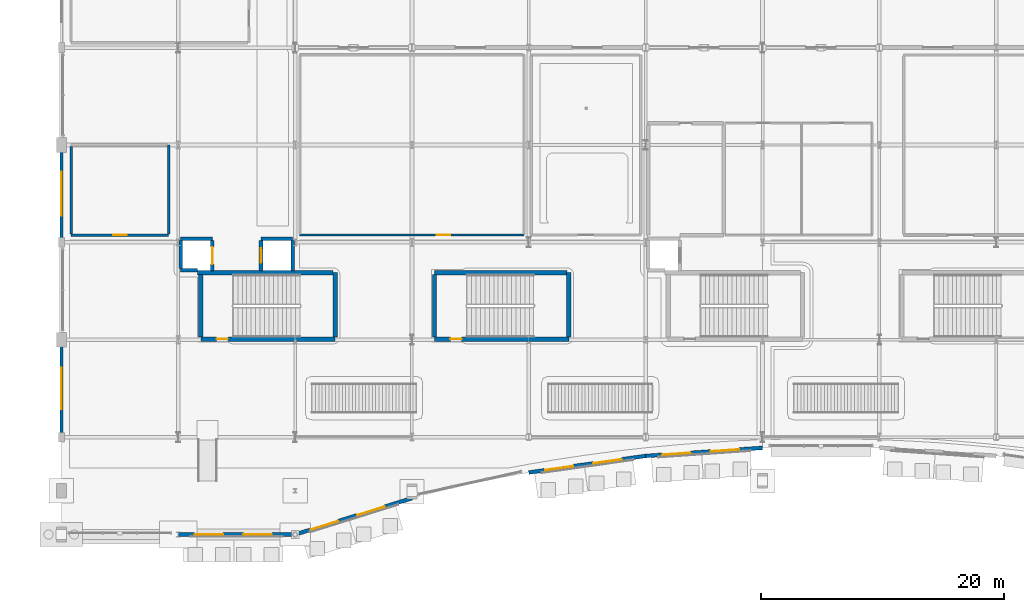
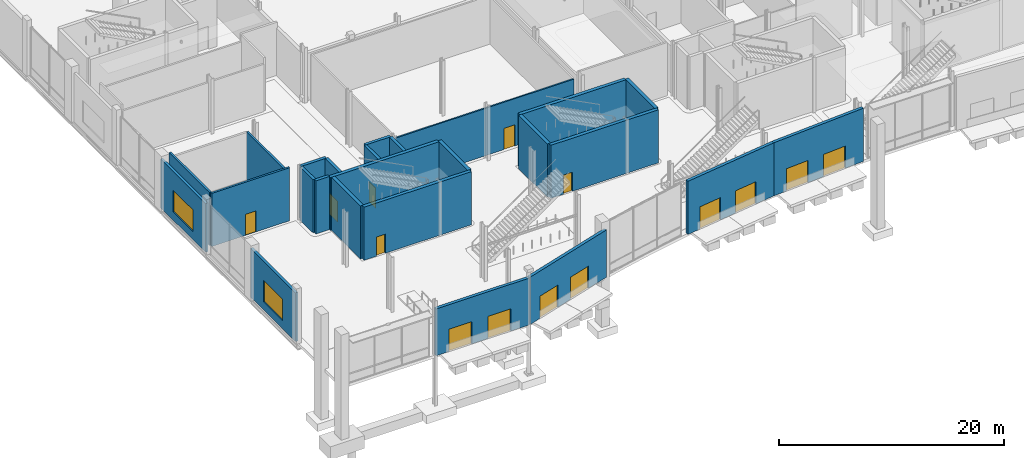
# One storey, part 72 of 124: 25 walls, 14 doors, 2 windows, 16 openings.
"""IFC4 building model written with IfcOpenShell, lengths in metres."""

from ifc_helpers import new_model, si_unit, direction, frame, frame_2d, origin, place, context, subcontext, project, spatial, rectangle, extrude, material, layer, layer_set, type_object, element, fill, save


model = new_model("IFC4")

# Units and contexts
model_context = context("Model", 3, precision=1e-05, world=origin(), true_north=direction((0.0, 1.0)))
body_context = subcontext(model_context, "Body", "Model", "MODEL_VIEW")
ifc_project = project(units=[si_unit("LENGTHUNIT", "METRE"), si_unit("AREAUNIT", "SQUARE_METRE"), si_unit("VOLUMEUNIT", "CUBIC_METRE"), si_unit("PLANEANGLEUNIT", "RADIAN"), si_unit("MASSUNIT", "GRAM", prefix="KILO")], contexts=[model_context])

# Site, building, storey
site_placement = place(None, origin())
site = spatial("IfcSite", under=ifc_project, at=site_placement, CompositionType="ELEMENT")
building_placement = place(site_placement, origin())
building = spatial("IfcBuilding", under=site, at=building_placement, Name="Danafjord Basin Convention Centre", CompositionType="ELEMENT")
storey_placement = place(building_placement, origin())
storey = spatial("IfcBuildingStorey", under=building, at=storey_placement, Name="L00", CompositionType="ELEMENT", Elevation=0.0)

# Walls
ifc_material_1 = material(Name="Concrete C40/50", Category="concrete")
ifc_layer_1 = layer(ifc_material_1, 0.300048828125)
ifc_layer_set_1 = layer_set([ifc_layer_1], Name="Concrete C40/50")
wall_type_1 = type_object("IfcWallType", Name="WALL-CW-CORE300", PredefinedType="SHEAR", material=ifc_layer_set_1)
wall_1_placement = place(storey_placement, frame((12.39990234375, 24.300048828125, 0.0), z_axis=(0.0, 0.0, 1.0), x_axis=(-1.0, 0.0, 0.0)))
element("IfcWall", 1, at=wall_1_placement, inside=storey, type_object=wall_type_1, Name="Lift LF-FF01 shaft shear wall", PredefinedType="SHEAR", context=body_context, shape_type="SweptSolid", body=[
    extrude(rectangle(XDim=2.599853515625, YDim=0.300048828125, at=frame_2d((1.2998046875, 0.0))), origin(), (0.0, 0.0, 1.0), 5.77001953125),
])
wall_2_placement = place(storey_placement, frame((9.800048828125, 21.699951171875, 0.0), z_axis=(0.0, 0.0, 1.0), x_axis=(1.0, 0.0, 0.0)))
element("IfcWall", 2, at=wall_2_placement, inside=storey, type_object=wall_type_1, Name="Lift LF-FF01 shaft shear wall", PredefinedType="SHEAR", context=body_context, shape_type="SweptSolid", body=[
    extrude(rectangle(XDim=1.39990234375, YDim=0.300048828125, at=frame_2d((0.699951171875, 0.0))), origin(), (0.0, 0.0, 1.0), 5.77001953125),
])

# Wall, opening, door
wall_3_placement = place(storey_placement, frame((12.39990234375, 21.6650390625, 0.0), z_axis=(0.0, 0.0, 1.0), x_axis=(0.0, 1.0, 0.0)))
wall_3 = element("IfcWall", 3, at=wall_3_placement, inside=storey, type_object=wall_type_1, Name="Lift LF-FF01 shaft shear wall", PredefinedType="SHEAR", context=body_context, shape_type="SweptSolid", body=[
    extrude(rectangle(XDim=2.5, YDim=0.300048828125, at=frame_2d((1.25, 0.0))), origin(), (0.0, 0.0, 1.0), 5.77001953125),
])
opening_1_placement = place(wall_3_placement, frame((0.550048828125, 0.0, 0.0)))
opening_1 = element("IfcOpeningElement", 4, at=opening_1_placement, cuts=wall_3, Name="Opening LD-F01", PredefinedType="OPENING", context=body_context, shape_type="SweptSolid", body=[
    extrude(rectangle(XDim=1.39990234375, YDim=2.260009765625, at=frame_2d((0.699951171875, 1.1298828125))), frame((0.0, 0.159912109375, 0.0), z_axis=(0.0, -1.0, 0.0), x_axis=(1.0, 0.0, 0.0)), (0.0, 0.0, 1.0), 0.320068359375),
])
ifc_material_2 = material(Name="Brushed stainless steel and acoustic laminated glass", Category="steel")
door_type_1 = type_object("IfcDoorType", Name="DOOR-LD-F01", OperationType="DOUBLE_DOOR_SLIDING", PredefinedType="DOOR", material=ifc_material_2)
door_1_placement = place(opening_1_placement, origin())
door_1 = element("IfcDoor", 5, at=door_1_placement, inside=storey, type_object=door_type_1, Name="Lift LF-FF01 L00 Landing Door", OperationType="DOUBLE_DOOR_SLIDING", OverallHeight=2.260009765625, OverallWidth=1.39990234375, PredefinedType="DOOR", context=body_context, shape_type="SweptSolid", body=[
    extrude(rectangle(XDim=1.39990234375, YDim=2.260009765625, at=frame_2d((0.699951171875, 1.1298828125))), frame((0.0, 0.02490234375, 0.0), z_axis=(0.0, -1.0, 0.0), x_axis=(1.0, 0.0, 0.0)), (0.0, 0.0, 1.0), 0.050048828125),
])
fill(opening_1, door_1)

# Walls
wall_4_placement = place(storey_placement, frame((9.800048828125, 24.1650390625, 0.0), z_axis=(0.0, 0.0, 1.0), x_axis=(0.0, -1.0, 0.0)))
element("IfcWall", 6, at=wall_4_placement, inside=storey, type_object=wall_type_1, Name="Lift LF-FF01 shaft shear wall", PredefinedType="SHEAR", context=body_context, shape_type="SweptSolid", body=[
    extrude(rectangle(XDim=2.330078125, YDim=0.300048828125, at=frame_2d((1.1650390625, 0.0))), origin(), (0.0, 0.0, 1.0), 5.77001953125),
])
wall_5_placement = place(storey_placement, frame((19.0, 24.300048828125, 0.0), z_axis=(0.0, 0.0, 1.0), x_axis=(-1.0, 0.0, 0.0)))
element("IfcWall", 7, at=wall_5_placement, inside=storey, type_object=wall_type_1, Name="Lift LF-P01 shaft shear wall", PredefinedType="SHEAR", context=body_context, shape_type="SweptSolid", body=[
    extrude(rectangle(XDim=2.60009765625, YDim=0.300048828125, at=frame_2d((1.300048828125, 0.0))), origin(), (0.0, 0.0, 1.0), 5.77001953125),
])
wall_6_placement = place(storey_placement, frame((19.0, 21.6650390625, 0.0), z_axis=(0.0, 0.0, 1.0), x_axis=(0.0, 1.0, 0.0)))
element("IfcWall", 8, at=wall_6_placement, inside=storey, type_object=wall_type_1, Name="Lift LF-P01 shaft shear wall", PredefinedType="SHEAR", context=body_context, shape_type="SweptSolid", body=[
    extrude(rectangle(XDim=2.5, YDim=0.300048828125, at=frame_2d((1.25, 0.0))), origin(), (0.0, 0.0, 1.0), 5.77001953125),
])

# Wall, opening, door
wall_7_placement = place(storey_placement, frame((16.39990234375, 24.1650390625, 0.0), z_axis=(0.0, 0.0, 1.0), x_axis=(0.0, -1.0, 0.0)))
wall_7 = element("IfcWall", 9, at=wall_7_placement, inside=storey, type_object=wall_type_1, Name="Lift LF-P01 shaft shear wall", PredefinedType="SHEAR", context=body_context, shape_type="SweptSolid", body=[
    extrude(rectangle(XDim=2.5, YDim=0.300048828125, at=frame_2d((1.25, 0.0))), origin(), (0.0, 0.0, 1.0), 5.77001953125),
])
opening_2_placement = place(wall_7_placement, frame((0.64990234375, 0.0, 0.0)))
opening_2 = element("IfcOpeningElement", 10, at=opening_2_placement, cuts=wall_7, Name="Opening LD-P01", PredefinedType="OPENING", context=body_context, shape_type="SweptSolid", body=[
    extrude(rectangle(XDim=1.199951171875, YDim=2.199951171875, at=frame_2d((0.60009765625, 1.10009765625))), frame((0.0, 0.159912109375, 0.0), z_axis=(0.0, -1.0, 0.0), x_axis=(1.0, 0.0, 0.0)), (0.0, 0.0, 1.0), 0.320068359375),
])
door_type_2 = type_object("IfcDoorType", Name="DOOR-LD-P01", OperationType="DOUBLE_DOOR_SLIDING", PredefinedType="DOOR", material=ifc_material_2)
door_2_placement = place(opening_2_placement, origin())
door_2 = element("IfcDoor", 11, at=door_2_placement, inside=storey, type_object=door_type_2, Name="Lift LF-P01 L00 Landing Door", OperationType="DOUBLE_DOOR_SLIDING", OverallHeight=2.199951171875, OverallWidth=1.199951171875, PredefinedType="DOOR", context=body_context, shape_type="SweptSolid", body=[
    extrude(rectangle(XDim=1.199951171875, YDim=2.199951171875, at=frame_2d((0.60009765625, 1.10009765625))), frame((0.0, 0.02490234375, 0.0), z_axis=(0.0, -1.0, 0.0), x_axis=(1.0, 0.0, 0.0)), (0.0, 0.0, 1.0), 0.050048828125),
])
fill(opening_2, door_2)

ifc_material_3 = material(Name="Concrete C45/55", Category="concrete")
ifc_layer_2 = layer(ifc_material_3, 0.35009765625)
ifc_layer_set_2 = layer_set([ifc_layer_2], Name="Concrete C45/55")
wall_type_2 = type_object("IfcWallType", Name="WALL-CW-CORE350", PredefinedType="SHEAR", material=ifc_layer_set_2)
wall_8_placement = place(storey_placement, frame((22.489990234375, 16.050048828125, 0.0), z_axis=(0.0, 0.0, 1.0), x_axis=(-1.0, 0.0, 0.0)))
wall_8 = element("IfcWall", 12, at=wall_8_placement, inside=storey, type_object=wall_type_2, Name="West Harbour Core Stair 1 core shear wall (south)", PredefinedType="SHEAR", context=body_context, shape_type="SweptSolid", body=[
    extrude(rectangle(XDim=11.0400390625, YDim=0.35009765625, at=frame_2d((5.52001953125, 0.0))), origin(), (0.0, 0.0, 1.0), 5.77001953125),
])
opening_3_placement = place(wall_8_placement, frame((8.818115234375, 0.0, 0.0)))
opening_3 = element("IfcOpeningElement", 13, at=opening_3_placement, cuts=wall_8, Name="Opening FD-S01", PredefinedType="OPENING", context=body_context, shape_type="SweptSolid", body=[
    extrude(rectangle(XDim=0.909912109375, YDim=2.080078125, at=frame_2d((0.455078125, 1.0400390625))), frame((0.0, 0.18505859375, 0.0), z_axis=(0.0, -1.0, 0.0), x_axis=(1.0, 0.0, 0.0)), (0.0, 0.0, 1.0), 0.3701171875),
])
ifc_material_4 = material(Name="Powder-coated steel and Nordic oak", Category="steel")
door_type_3 = type_object("IfcDoorType", Name="DOOR-FD-S01", OperationType="NOTDEFINED", PredefinedType="DOOR", material=ifc_material_4)
door_3_placement = place(opening_3_placement, origin())
door_3 = element("IfcDoor", 14, at=door_3_placement, inside=storey, type_object=door_type_3, Name="West Harbour Core Stair 1 L00 Fire Exit Door", OperationType="SINGLE_SWING_RIGHT", OverallHeight=2.080078125, OverallWidth=0.909912109375, PredefinedType="DOOR", context=body_context, shape_type="SweptSolid", body=[
    extrude(rectangle(XDim=0.909912109375, YDim=2.080078125, at=frame_2d((0.455078125, 1.0400390625))), frame((0.0, 0.02490234375, 0.0), z_axis=(0.0, -1.0, 0.0), x_axis=(1.0, 0.0, 0.0)), (0.0, 0.0, 1.0), 0.050048828125),
])
fill(opening_3, door_3)

# Walls
wall_9_placement = place(storey_placement, frame((22.489990234375, 21.510009765625, 0.0), z_axis=(0.0, 0.0, 1.0), x_axis=(0.0, -1.0, 0.0)))
element("IfcWall", 15, at=wall_9_placement, inside=storey, type_object=wall_type_2, Name="West Harbour Core Stair 1 core shear wall (east)", PredefinedType="SHEAR", context=body_context, shape_type="SweptSolid", body=[
    extrude(rectangle(XDim=5.300048828125, YDim=0.35009765625, at=frame_2d((2.64990234375, 0.0))), origin(), (0.0, 0.0, 1.0), 5.77001953125),
])
wall_10_placement = place(storey_placement, frame((11.179931640625, 21.510009765625, 0.0), z_axis=(0.0, 0.0, 1.0), x_axis=(1.0, 0.0, 0.0)))
element("IfcWall", 16, at=wall_10_placement, inside=storey, type_object=wall_type_2, Name="West Harbour Core Stair 1 core shear wall (north)", PredefinedType="SHEAR", context=body_context, shape_type="SweptSolid", body=[
    extrude(rectangle(XDim=11.150146484375, YDim=0.35009765625, at=frame_2d((5.5751953125, 0.0))), origin(), (0.0, 0.0, 1.0), 5.77001953125),
])
wall_11_placement = place(storey_placement, frame((11.449951171875, 16.2099609375, 0.0), z_axis=(0.0, 0.0, 1.0), x_axis=(0.0, 1.0, 0.0)))
element("IfcWall", 17, at=wall_11_placement, inside=storey, type_object=wall_type_2, Name="West Harbour Core Stair 1 core shear wall (west)", PredefinedType="SHEAR", context=body_context, shape_type="SweptSolid", body=[
    extrude(rectangle(XDim=5.14013671875, YDim=0.35009765625, at=frame_2d((2.570068359375, 0.0))), origin(), (0.0, 0.0, 1.0), 5.77001953125),
])

# Wall, opening, door
wall_12_placement = place(storey_placement, frame((41.68994140625, 16.050048828125, 0.0), z_axis=(0.0, 0.0, 1.0), x_axis=(-1.0, 0.0, 0.0)))
wall_12 = element("IfcWall", 18, at=wall_12_placement, inside=storey, type_object=wall_type_2, Name="West Harbour Escape Stair 2 core shear wall (south)", PredefinedType="SHEAR", context=body_context, shape_type="SweptSolid", body=[
    extrude(rectangle(XDim=11.0400390625, YDim=0.35009765625, at=frame_2d((5.52001953125, 0.0))), origin(), (0.0, 0.0, 1.0), 5.77001953125),
])
opening_4_placement = place(wall_12_placement, frame((8.818115234375, 0.0, 0.0)))
opening_4 = element("IfcOpeningElement", 19, at=opening_4_placement, cuts=wall_12, Name="Opening FD-S01", PredefinedType="OPENING", context=body_context, shape_type="SweptSolid", body=[
    extrude(rectangle(XDim=0.909912109375, YDim=2.080078125, at=frame_2d((0.455078125, 1.0400390625))), frame((0.0, 0.18505859375, 0.0), z_axis=(0.0, -1.0, 0.0), x_axis=(1.0, 0.0, 0.0)), (0.0, 0.0, 1.0), 0.3701171875),
])
door_4_placement = place(opening_4_placement, origin())
door_4 = element("IfcDoor", 20, at=door_4_placement, inside=storey, type_object=door_type_3, Name="West Harbour Escape Stair 2 L00 Fire Exit Door", OperationType="SINGLE_SWING_LEFT", OverallHeight=2.080078125, OverallWidth=0.909912109375, PredefinedType="DOOR", context=body_context, shape_type="SweptSolid", body=[
    extrude(rectangle(XDim=0.909912109375, YDim=2.080078125, at=frame_2d((0.455078125, 1.0400390625))), frame((0.0, 0.02490234375, 0.0), z_axis=(0.0, -1.0, 0.0), x_axis=(1.0, 0.0, 0.0)), (0.0, 0.0, 1.0), 0.050048828125),
])
fill(opening_4, door_4)

# Walls
wall_13_placement = place(storey_placement, frame((41.68994140625, 21.510009765625, 0.0), z_axis=(0.0, 0.0, 1.0), x_axis=(0.0, -1.0, 0.0)))
element("IfcWall", 21, at=wall_13_placement, inside=storey, type_object=wall_type_2, Name="West Harbour Escape Stair 2 core shear wall (east)", PredefinedType="SHEAR", context=body_context, shape_type="SweptSolid", body=[
    extrude(rectangle(XDim=5.300048828125, YDim=0.35009765625, at=frame_2d((2.64990234375, 0.0))), origin(), (0.0, 0.0, 1.0), 5.77001953125),
])
wall_14_placement = place(storey_placement, frame((30.64990234375, 21.510009765625, 0.0), z_axis=(0.0, 0.0, 1.0), x_axis=(1.0, 0.0, 0.0)))
element("IfcWall", 22, at=wall_14_placement, inside=storey, type_object=wall_type_2, Name="West Harbour Escape Stair 2 core shear wall (north)", PredefinedType="SHEAR", context=body_context, shape_type="SweptSolid", body=[
    extrude(rectangle(XDim=10.880126953125, YDim=0.35009765625, at=frame_2d((5.43994140625, 0.0))), origin(), (0.0, 0.0, 1.0), 5.77001953125),
])
wall_15_placement = place(storey_placement, frame((30.64990234375, 16.2099609375, 0.0), z_axis=(0.0, 0.0, 1.0), x_axis=(0.0, 1.0, 0.0)))
element("IfcWall", 23, at=wall_15_placement, inside=storey, type_object=wall_type_2, Name="West Harbour Escape Stair 2 core shear wall (west)", PredefinedType="SHEAR", context=body_context, shape_type="SweptSolid", body=[
    extrude(rectangle(XDim=5.14013671875, YDim=0.35009765625, at=frame_2d((2.570068359375, 0.0))), origin(), (0.0, 0.0, 1.0), 5.77001953125),
])

# Wall, openings, doors
ifc_material_5 = material(Name="Precast concrete C40/50", Category="concrete")
ifc_layer_3 = layer(ifc_material_5, 0.31005859375)
ifc_layer_set_3 = layer_set([ifc_layer_3], Name="Precast concrete C40/50")
wall_type_3 = type_object("IfcWallType", Name="WALL-EW-PC300", PredefinedType="SOLIDWALL", material=ifc_layer_set_3)
wall_16_placement = place(storey_placement, frame((9.60009765625, 0.0, 0.0), z_axis=(0.0, 0.0, 1.0), x_axis=(1.0, 0.0, 0.0)))
wall_16 = element("IfcWall", 24, at=wall_16_placement, inside=storey, type_object=wall_type_3, Name="L00 harbourfront precast facade bay 2", PredefinedType="SOLIDWALL", context=body_context, shape_type="SweptSolid", body=[
    extrude(rectangle(XDim=9.599853515625, YDim=0.31005859375, at=frame_2d((4.7998046875, 0.0))), origin(), (0.0, 0.0, 1.0), 5.090087890625),
])
opening_5_placement = place(wall_16_placement, frame((1.35009765625, 0.0, 0.0)))
opening_5 = element("IfcOpeningElement", 25, at=opening_5_placement, cuts=wall_16, Name="Opening ED-01", PredefinedType="OPENING", context=body_context, shape_type="SweptSolid", body=[
    extrude(rectangle(XDim=2.340087890625, YDim=2.419921875, at=frame_2d((1.169921875, 1.2099609375))), frame((0.0, 0.1650390625, 0.0), z_axis=(0.0, -1.0, 0.0), x_axis=(1.0, 0.0, 0.0)), (0.0, 0.0, 1.0), 0.330078125),
])
opening_6_placement = place(wall_16_placement, frame((5.35009765625, 0.0, 0.0)))
opening_6 = element("IfcOpeningElement", 26, at=opening_6_placement, cuts=wall_16, Name="Opening ED-01", PredefinedType="OPENING", context=body_context, shape_type="SweptSolid", body=[
    extrude(rectangle(XDim=2.340087890625, YDim=2.419921875, at=frame_2d((1.169921875, 1.2099609375))), frame((0.0, 0.1650390625, 0.0), z_axis=(0.0, -1.0, 0.0), x_axis=(1.0, 0.0, 0.0)), (0.0, 0.0, 1.0), 0.330078125),
])
ifc_material_6 = material(Name="Thermally broken anodised aluminium and steel", Category="steel")
door_type_4 = type_object("IfcDoorType", Name="DOOR-ED-01", OperationType="DOUBLE_DOOR_SINGLE_SWING", PredefinedType="DOOR", material=ifc_material_6)
door_5_placement = place(opening_5_placement, origin())
door_5 = element("IfcDoor", 27, at=door_5_placement, inside=storey, type_object=door_type_4, Name="Harbourfront Registration Entrance Door", OperationType="DOUBLE_DOOR_SINGLE_SWING", OverallHeight=2.419921875, OverallWidth=2.340087890625, PredefinedType="DOOR", context=body_context, shape_type="SweptSolid", body=[
    extrude(rectangle(XDim=2.340087890625, YDim=2.419921875, at=frame_2d((1.169921875, 1.2099609375))), frame((0.0, 0.02490234375, 0.0), z_axis=(0.0, -1.0, 0.0), x_axis=(1.0, 0.0, 0.0)), (0.0, 0.0, 1.0), 0.050048828125),
])
fill(opening_5, door_5)
door_6_placement = place(opening_6_placement, origin())
door_6 = element("IfcDoor", 28, at=door_6_placement, inside=storey, type_object=door_type_4, Name="Harbourfront Registration Entrance Door", OperationType="DOUBLE_DOOR_SINGLE_SWING", OverallHeight=2.419921875, OverallWidth=2.340087890625, PredefinedType="DOOR", context=body_context, shape_type="SweptSolid", body=[
    extrude(rectangle(XDim=2.340087890625, YDim=2.419921875, at=frame_2d((1.169921875, 1.2099609375))), frame((0.0, 0.02490234375, 0.0), z_axis=(0.0, -1.0, 0.0), x_axis=(1.0, 0.0, 0.0)), (0.0, 0.0, 1.0), 0.050048828125),
])
fill(opening_6, door_6)

wall_17_placement = place(storey_placement, frame((19.199951171875, 0.0, 0.0), z_axis=(0.0, 0.0, 1.0), x_axis=(0.955046116742, 0.296457273306, 0.0)))
wall_17 = element("IfcWall", 29, at=wall_17_placement, inside=storey, type_object=wall_type_3, Name="L00 harbourfront precast facade bay 3", PredefinedType="SOLIDWALL", context=body_context, shape_type="SweptSolid", body=[
    extrude(rectangle(XDim=10.052001953125, YDim=0.31005859375, at=frame_2d((5.02587890625, 0.0))), origin(), (0.0, 0.0, 1.0), 5.139892578125),
])
opening_7_placement = place(wall_17_placement, frame((1.35009765625, 0.0, 0.0)))
opening_7 = element("IfcOpeningElement", 30, at=opening_7_placement, cuts=wall_17, Name="Opening ED-01", PredefinedType="OPENING", context=body_context, shape_type="SweptSolid", body=[
    extrude(rectangle(XDim=2.340087890625, YDim=2.419921875, at=frame_2d((1.169921875, 1.2099609375))), frame((0.0, 0.1650390625, 0.0), z_axis=(0.0, -1.0, 0.0), x_axis=(1.0, 0.0, 0.0)), (0.0, 0.0, 1.0), 0.330078125),
])
opening_8_placement = place(wall_17_placement, frame((5.35009765625, 0.0, 0.0)))
opening_8 = element("IfcOpeningElement", 31, at=opening_8_placement, cuts=wall_17, Name="Opening ED-01", PredefinedType="OPENING", context=body_context, shape_type="SweptSolid", body=[
    extrude(rectangle(XDim=2.340087890625, YDim=2.419921875, at=frame_2d((1.169921875, 1.2099609375))), frame((0.0, 0.1650390625, 0.0), z_axis=(0.0, -1.0, 0.0), x_axis=(1.0, 0.0, 0.0)), (0.0, 0.0, 1.0), 0.330078125),
])
door_7_placement = place(opening_7_placement, origin())
door_7 = element("IfcDoor", 32, at=door_7_placement, inside=storey, type_object=door_type_4, Name="Harbourfront Registration Entrance Door", OperationType="DOUBLE_DOOR_SINGLE_SWING", OverallHeight=2.419921875, OverallWidth=2.340087890625, PredefinedType="DOOR", context=body_context, shape_type="SweptSolid", body=[
    extrude(rectangle(XDim=2.340087890625, YDim=2.419921875, at=frame_2d((1.169921875, 1.2099609375))), frame((0.0, 0.02490234375, 0.0), z_axis=(0.0, -1.0, 0.0), x_axis=(1.0, 0.0, 0.0)), (0.0, 0.0, 1.0), 0.050048828125),
])
fill(opening_7, door_7)
door_8_placement = place(opening_8_placement, origin())
door_8 = element("IfcDoor", 33, at=door_8_placement, inside=storey, type_object=door_type_4, Name="Harbourfront Registration Entrance Door", OperationType="DOUBLE_DOOR_SINGLE_SWING", OverallHeight=2.419921875, OverallWidth=2.340087890625, PredefinedType="DOOR", context=body_context, shape_type="SweptSolid", body=[
    extrude(rectangle(XDim=2.340087890625, YDim=2.419921875, at=frame_2d((1.169921875, 1.2099609375))), frame((0.0, 0.02490234375, 0.0), z_axis=(0.0, -1.0, 0.0), x_axis=(1.0, 0.0, 0.0)), (0.0, 0.0, 1.0), 0.050048828125),
])
fill(opening_8, door_8)

wall_18_placement = place(storey_placement, frame((38.39990234375, 5.093017578125, 0.0), z_axis=(0.0, 0.0, 1.0), x_axis=(0.990129976579, 0.140152165445, 0.0)))
wall_18 = element("IfcWall", 34, at=wall_18_placement, inside=storey, type_object=wall_type_3, Name="L00 harbourfront precast facade bay 5", PredefinedType="SOLIDWALL", context=body_context, shape_type="SweptSolid", body=[
    extrude(rectangle(XDim=9.69580078125, YDim=0.31005859375, at=frame_2d((4.847900390625, 0.0))), origin(), (0.0, 0.0, 1.0), 5.77001953125),
])
opening_9_placement = place(wall_18_placement, frame((1.35009765625, 0.0, 0.0)))
opening_9 = element("IfcOpeningElement", 35, at=opening_9_placement, cuts=wall_18, Name="Opening ED-01", PredefinedType="OPENING", context=body_context, shape_type="SweptSolid", body=[
    extrude(rectangle(XDim=2.340087890625, YDim=2.419921875, at=frame_2d((1.169921875, 1.2099609375))), frame((0.0, 0.1650390625, 0.0), z_axis=(0.0, -1.0, 0.0), x_axis=(1.0, 0.0, 0.0)), (0.0, 0.0, 1.0), 0.330078125),
])
opening_10_placement = place(wall_18_placement, frame((5.35009765625, 0.0, 0.0)))
opening_10 = element("IfcOpeningElement", 36, at=opening_10_placement, cuts=wall_18, Name="Opening ED-01", PredefinedType="OPENING", context=body_context, shape_type="SweptSolid", body=[
    extrude(rectangle(XDim=2.340087890625, YDim=2.419921875, at=frame_2d((1.169921875, 1.2099609375))), frame((0.0, 0.1650390625, 0.0), z_axis=(0.0, -1.0, 0.0), x_axis=(1.0, 0.0, 0.0)), (0.0, 0.0, 1.0), 0.330078125),
])
door_9_placement = place(opening_9_placement, origin())
door_9 = element("IfcDoor", 37, at=door_9_placement, inside=storey, type_object=door_type_4, Name="Harbourfront Registration Entrance Door", OperationType="DOUBLE_DOOR_SINGLE_SWING", OverallHeight=2.419921875, OverallWidth=2.340087890625, PredefinedType="DOOR", context=body_context, shape_type="SweptSolid", body=[
    extrude(rectangle(XDim=2.340087890625, YDim=2.419921875, at=frame_2d((1.169921875, 1.2099609375))), frame((0.0, 0.02490234375, 0.0), z_axis=(0.0, -1.0, 0.0), x_axis=(1.0, 0.0, 0.0)), (0.0, 0.0, 1.0), 0.050048828125),
])
fill(opening_9, door_9)
door_10_placement = place(opening_10_placement, origin())
door_10 = element("IfcDoor", 38, at=door_10_placement, inside=storey, type_object=door_type_4, Name="Harbourfront Registration Entrance Door", OperationType="DOUBLE_DOOR_SINGLE_SWING", OverallHeight=2.419921875, OverallWidth=2.340087890625, PredefinedType="DOOR", context=body_context, shape_type="SweptSolid", body=[
    extrude(rectangle(XDim=2.340087890625, YDim=2.419921875, at=frame_2d((1.169921875, 1.2099609375))), frame((0.0, 0.02490234375, 0.0), z_axis=(0.0, -1.0, 0.0), x_axis=(1.0, 0.0, 0.0)), (0.0, 0.0, 1.0), 0.050048828125),
])
fill(opening_10, door_10)

wall_19_placement = place(storey_placement, frame((48.0, 6.451904296875, 0.0), z_axis=(0.0, 0.0, 1.0), x_axis=(0.99760914447, 0.069108573052, 0.0)))
wall_19 = element("IfcWall", 39, at=wall_19_placement, inside=storey, type_object=wall_type_3, Name="L00 harbourfront precast facade bay 6", PredefinedType="SOLIDWALL", context=body_context, shape_type="SweptSolid", body=[
    extrude(rectangle(XDim=9.623046875, YDim=0.31005859375, at=frame_2d((4.8115234375, 0.0))), origin(), (0.0, 0.0, 1.0), 5.77001953125),
])
opening_11_placement = place(wall_19_placement, frame((1.35009765625, 0.0, 0.0)))
opening_11 = element("IfcOpeningElement", 40, at=opening_11_placement, cuts=wall_19, Name="Opening ED-01", PredefinedType="OPENING", context=body_context, shape_type="SweptSolid", body=[
    extrude(rectangle(XDim=2.340087890625, YDim=2.419921875, at=frame_2d((1.169921875, 1.2099609375))), frame((0.0, 0.1650390625, 0.0), z_axis=(0.0, -1.0, 0.0), x_axis=(1.0, 0.0, 0.0)), (0.0, 0.0, 1.0), 0.330078125),
])
opening_12_placement = place(wall_19_placement, frame((5.35009765625, 0.0, 0.0)))
opening_12 = element("IfcOpeningElement", 41, at=opening_12_placement, cuts=wall_19, Name="Opening ED-01", PredefinedType="OPENING", context=body_context, shape_type="SweptSolid", body=[
    extrude(rectangle(XDim=2.340087890625, YDim=2.419921875, at=frame_2d((1.169921875, 1.2099609375))), frame((0.0, 0.1650390625, 0.0), z_axis=(0.0, -1.0, 0.0), x_axis=(1.0, 0.0, 0.0)), (0.0, 0.0, 1.0), 0.330078125),
])
door_11_placement = place(opening_11_placement, origin())
door_11 = element("IfcDoor", 42, at=door_11_placement, inside=storey, type_object=door_type_4, Name="Harbourfront Registration Entrance Door", OperationType="DOUBLE_DOOR_SINGLE_SWING", OverallHeight=2.419921875, OverallWidth=2.340087890625, PredefinedType="DOOR", context=body_context, shape_type="SweptSolid", body=[
    extrude(rectangle(XDim=2.340087890625, YDim=2.419921875, at=frame_2d((1.169921875, 1.2099609375))), frame((0.0, 0.02490234375, 0.0), z_axis=(0.0, -1.0, 0.0), x_axis=(1.0, 0.0, 0.0)), (0.0, 0.0, 1.0), 0.050048828125),
])
fill(opening_11, door_11)
door_12_placement = place(opening_12_placement, origin())
door_12 = element("IfcDoor", 43, at=door_12_placement, inside=storey, type_object=door_type_4, Name="Harbourfront Registration Entrance Door", OperationType="DOUBLE_DOOR_SINGLE_SWING", OverallHeight=2.419921875, OverallWidth=2.340087890625, PredefinedType="DOOR", context=body_context, shape_type="SweptSolid", body=[
    extrude(rectangle(XDim=2.340087890625, YDim=2.419921875, at=frame_2d((1.169921875, 1.2099609375))), frame((0.0, 0.02490234375, 0.0), z_axis=(0.0, -1.0, 0.0), x_axis=(1.0, 0.0, 0.0)), (0.0, 0.0, 1.0), 0.050048828125),
])
fill(opening_12, door_12)

# Wall, opening, window
ifc_material_7 = material(Name="Concrete C35/45", Category="concrete")
ifc_layer_4 = layer(ifc_material_7, 0.260009765625)
ifc_layer_set_4 = layer_set([ifc_layer_4], Name="Concrete C35/45")
wall_type_4 = type_object("IfcWallType", Name="WALL-EW-STD260", PredefinedType="STANDARD", material=ifc_layer_set_4)
wall_20_placement = place(storey_placement, frame((0.0, 8.0, 0.0), z_axis=(0.0, 0.0, 1.0), x_axis=(0.0, 1.0, 0.0)))
wall_20 = element("IfcWall", 44, at=wall_20_placement, inside=storey, type_object=wall_type_4, Name="L00 W wing facade wall", PredefinedType="STANDARD", context=body_context, shape_type="SweptSolid", body=[
    extrude(rectangle(XDim=8.0, YDim=0.260009765625, at=frame_2d((4.0, 0.0))), origin(), (0.0, 0.0, 1.0), 5.2900390625),
])
opening_13_placement = place(wall_20_placement, frame((2.300048828125, 0.0, 0.89990234375)))
opening_13 = element("IfcOpeningElement", 45, at=opening_13_placement, cuts=wall_20, Name="Opening WN-12", PredefinedType="OPENING", context=body_context, shape_type="SweptSolid", body=[
    extrude(rectangle(XDim=3.39990234375, YDim=2.300048828125, at=frame_2d((1.699951171875, 1.14990234375))), frame((0.0, 0.139892578125, 0.0), z_axis=(0.0, -1.0, 0.0), x_axis=(1.0, 0.0, 0.0)), (0.0, 0.0, 1.0), 0.280029296875),
])
ifc_material_8 = material(Name="Thermally broken aluminium and triple low-E glass", Category="aluminium")
window_type_1 = type_object("IfcWindowType", Name="WIN-WN-12", PartitioningType="SINGLE_PANEL", PredefinedType="WINDOW", material=ifc_material_8)
window_1_placement = place(opening_13_placement, origin())
window_1 = element("IfcWindow", 46, at=window_1_placement, inside=storey, type_object=window_type_1, Name="L00 W window WN-12", OverallHeight=2.300048828125, OverallWidth=3.39990234375, PartitioningType="SINGLE_PANEL", PredefinedType="WINDOW", context=body_context, shape_type="SweptSolid", body=[
    extrude(rectangle(XDim=3.39990234375, YDim=2.300048828125, at=frame_2d((1.699951171875, 1.14990234375))), frame((0.0, 0.030029296875, 0.0), z_axis=(0.0, -1.0, 0.0), x_axis=(1.0, 0.0, 0.0)), (0.0, 0.0, 1.0), 0.06005859375),
])
fill(opening_13, window_1)

wall_21_placement = place(storey_placement, frame((0.0, 24.0, 0.0), z_axis=(0.0, 0.0, 1.0), x_axis=(0.0, 1.0, 0.0)))
wall_21 = element("IfcWall", 47, at=wall_21_placement, inside=storey, type_object=wall_type_4, Name="L00 W wing facade wall", PredefinedType="STANDARD", context=body_context, shape_type="SweptSolid", body=[
    extrude(rectangle(XDim=8.0, YDim=0.260009765625, at=frame_2d((4.0, 0.0))), origin(), (0.0, 0.0, 1.0), 5.2900390625),
])
opening_14_placement = place(wall_21_placement, frame((2.199951171875, 0.0, 0.89990234375)))
opening_14 = element("IfcOpeningElement", 48, at=opening_14_placement, cuts=wall_21, Name="Opening WN-13", PredefinedType="OPENING", context=body_context, shape_type="SweptSolid", body=[
    extrude(rectangle(XDim=3.60009765625, YDim=2.35009765625, at=frame_2d((1.800048828125, 1.175048828125))), frame((0.0, 0.139892578125, 0.0), z_axis=(0.0, -1.0, 0.0), x_axis=(1.0, 0.0, 0.0)), (0.0, 0.0, 1.0), 0.280029296875),
])
window_type_2 = type_object("IfcWindowType", Name="WIN-WN-13", PartitioningType="SINGLE_PANEL", PredefinedType="WINDOW", material=ifc_material_8)
window_2_placement = place(opening_14_placement, origin())
window_2 = element("IfcWindow", 49, at=window_2_placement, inside=storey, type_object=window_type_2, Name="L00 W window WN-13", OverallHeight=2.35009765625, OverallWidth=3.60009765625, PartitioningType="SINGLE_PANEL", PredefinedType="WINDOW", context=body_context, shape_type="SweptSolid", body=[
    extrude(rectangle(XDim=3.60009765625, YDim=2.35009765625, at=frame_2d((1.800048828125, 1.175048828125))), frame((0.0, 0.030029296875, 0.0), z_axis=(0.0, -1.0, 0.0), x_axis=(1.0, 0.0, 0.0)), (0.0, 0.0, 1.0), 0.06005859375),
])
fill(opening_14, window_2)

# Wall, opening, door
ifc_material_9 = material(Name="Fire-rated gypsum metal-stud partition")
ifc_layer_5 = layer(ifc_material_9, 0.14990234375)
ifc_layer_set_5 = layer_set([ifc_layer_5], Name="Fire-rated gypsum metal-stud partition")
wall_type_5 = type_object("IfcWallType", Name="WALL-PT-ST150", PredefinedType="PARTITIONING", material=ifc_layer_set_5)
wall_22_placement = place(storey_placement, frame((19.60009765625, 24.60009765625, 0.0), z_axis=(0.0, 0.0, 1.0), x_axis=(1.0, 0.0, 0.0)))
wall_22 = element("IfcWall", 50, at=wall_22_placement, inside=storey, type_object=wall_type_5, Name="Press Accreditation and Media Suite south partition", PredefinedType="PARTITIONING", context=body_context, shape_type="SweptSolid", body=[
    extrude(rectangle(XDim=18.39990234375, YDim=0.14990234375, at=frame_2d((9.199951171875, 0.0))), origin(), (0.0, 0.0, 1.0), 5.139892578125),
])
opening_15_placement = place(wall_22_placement, frame((11.22607421875, 0.0, 0.0)))
opening_15 = element("IfcOpeningElement", 51, at=opening_15_placement, cuts=wall_22, Name="Opening FD-S16", PredefinedType="OPENING", context=body_context, shape_type="SweptSolid", body=[
    extrude(rectangle(XDim=1.1298828125, YDim=2.300048828125, at=frame_2d((0.56494140625, 1.14990234375))), frame((0.0, 0.0849609375, 0.0), z_axis=(0.0, -1.0, 0.0), x_axis=(1.0, 0.0, 0.0)), (0.0, 0.0, 1.0), 0.169921875),
])
door_type_5 = type_object("IfcDoorType", Name="DOOR-FD-S16", OperationType="NOTDEFINED", PredefinedType="DOOR", material=ifc_material_4)
door_13_placement = place(opening_15_placement, origin())
door_13 = element("IfcDoor", 52, at=door_13_placement, inside=storey, type_object=door_type_5, Name="Press Accreditation and Media Suite Entrance Door", OperationType="SINGLE_SWING_RIGHT", OverallHeight=2.300048828125, OverallWidth=1.1298828125, PredefinedType="DOOR", context=body_context, shape_type="SweptSolid", body=[
    extrude(rectangle(XDim=1.1298828125, YDim=2.300048828125, at=frame_2d((0.56494140625, 1.14990234375))), frame((0.0, 0.02490234375, 0.0), z_axis=(0.0, -1.0, 0.0), x_axis=(1.0, 0.0, 0.0)), (0.0, 0.0, 1.0), 0.050048828125),
])
fill(opening_15, door_13)

ifc_layer_6 = layer(ifc_material_7, 0.205078125)
ifc_layer_set_6 = layer_set([ifc_layer_6], Name="Concrete C35/45")
wall_type_6 = type_object("IfcWallType", Name="WALL-W-COMP205", PredefinedType="SOLIDWALL", material=ifc_layer_set_6)
wall_23_placement = place(storey_placement, frame((0.800048828125, 24.60009765625, 0.0), z_axis=(0.0, 0.0, 1.0), x_axis=(1.0, 0.0, 0.0)))
wall_23 = element("IfcWall", 53, at=wall_23_placement, inside=storey, type_object=wall_type_6, Name="Fire Command Room south partition", PredefinedType="SOLIDWALL", context=body_context, shape_type="SweptSolid", body=[
    extrude(rectangle(XDim=8.0, YDim=0.205078125, at=frame_2d((4.0, 0.0))), origin(), (0.0, 0.0, 1.0), 5.77001953125),
])
opening_16_placement = place(wall_23_placement, frame((3.449951171875, 0.0, 0.0)))
opening_16 = element("IfcOpeningElement", 54, at=opening_16_placement, cuts=wall_23, Name="Opening FD-S15", PredefinedType="OPENING", context=body_context, shape_type="SweptSolid", body=[
    extrude(rectangle(XDim=1.10009765625, YDim=2.280029296875, at=frame_2d((0.550048828125, 1.14013671875))), frame((0.0, 0.112548828125, 0.0), z_axis=(0.0, -1.0, 0.0), x_axis=(1.0, 0.0, 0.0)), (0.0, 0.0, 1.0), 0.22509765625),
])
door_type_6 = type_object("IfcDoorType", Name="DOOR-FD-S15", OperationType="NOTDEFINED", PredefinedType="DOOR", material=ifc_material_4)
door_14_placement = place(opening_16_placement, origin())
door_14 = element("IfcDoor", 55, at=door_14_placement, inside=storey, type_object=door_type_6, Name="Fire Command Room Entrance Door", OperationType="SINGLE_SWING_LEFT", OverallHeight=2.280029296875, OverallWidth=1.10009765625, PredefinedType="DOOR", context=body_context, shape_type="SweptSolid", body=[
    extrude(rectangle(XDim=1.10009765625, YDim=2.280029296875, at=frame_2d((0.550048828125, 1.14013671875))), frame((0.0, 0.02490234375, 0.0), z_axis=(0.0, -1.0, 0.0), x_axis=(1.0, 0.0, 0.0)), (0.0, 0.0, 1.0), 0.050048828125),
])
fill(opening_16, door_14)

# Walls
wall_24_placement = place(storey_placement, frame((8.800048828125, 24.70654296875, 0.0), z_axis=(0.0, 0.0, 1.0), x_axis=(0.0, 1.0, 0.0)))
element("IfcWall", 56, at=wall_24_placement, inside=storey, type_object=wall_type_6, Name="Fire Command Room east partition", PredefinedType="SOLIDWALL", context=body_context, shape_type="SweptSolid", body=[
    extrude(rectangle(XDim=7.29345703125, YDim=0.205078125, at=frame_2d((3.646728515625, 0.0))), origin(), (0.0, 0.0, 1.0), 5.14990234375),
])
wall_25_placement = place(storey_placement, frame((0.800048828125, 31.8935546875, 0.0), z_axis=(0.0, 0.0, 1.0), x_axis=(0.0, -1.0, 0.0)))
element("IfcWall", 57, at=wall_25_placement, inside=storey, type_object=wall_type_6, Name="Fire Command Room west partition", PredefinedType="SOLIDWALL", context=body_context, shape_type="SweptSolid", body=[
    extrude(rectangle(XDim=7.18701171875, YDim=0.205078125, at=frame_2d((3.593505859375, 0.0))), origin(), (0.0, 0.0, 1.0), 5.77001953125),
])

save(model, "model.ifc")
